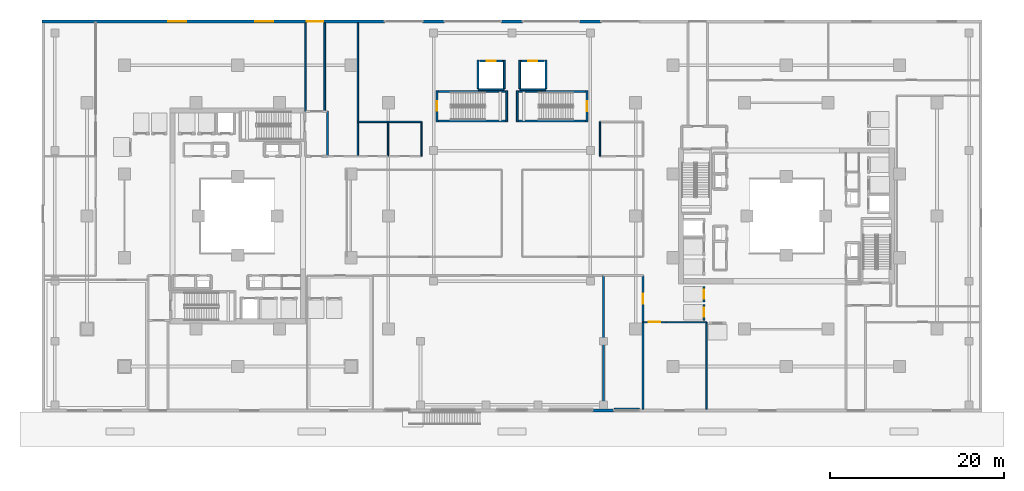
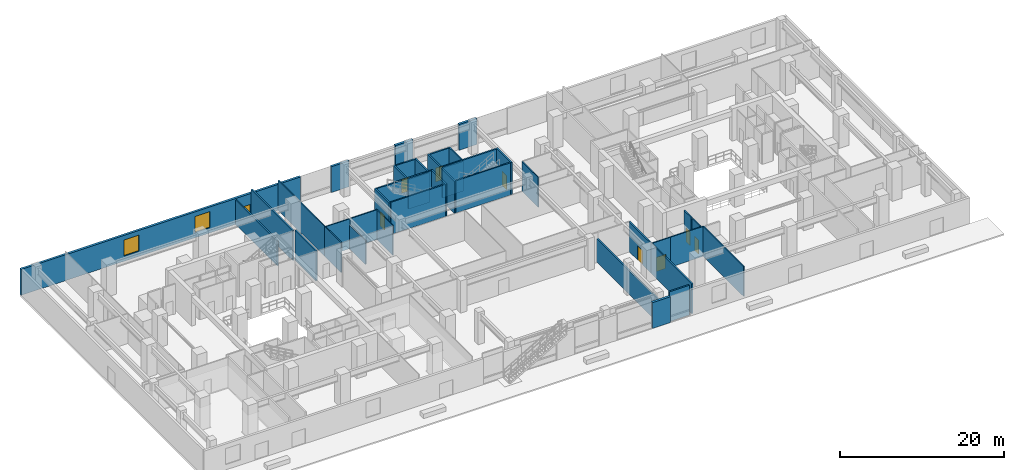
# One storey, part 15 of 24: 40 walls, 9 doors, 2 windows, 11 openings.
"""IFC4 building model written with IfcOpenShell, lengths in metres."""

from ifc_helpers import new_model, si_unit, direction, frame, frame_2d, origin, place, context, subcontext, project, spatial, rectangle, extrude, material, layer, layer_set, type_object, element, fill, save


model = new_model("IFC4")

# Units and contexts
model_context = context("Model", 3, precision=1e-05, world=origin(), true_north=direction((0.0, 1.0)))
body_context = subcontext(model_context, "Body", "Model", "MODEL_VIEW")
ifc_project = project(units=[si_unit("LENGTHUNIT", "METRE"), si_unit("AREAUNIT", "SQUARE_METRE"), si_unit("VOLUMEUNIT", "CUBIC_METRE"), si_unit("PLANEANGLEUNIT", "RADIAN"), si_unit("MASSUNIT", "GRAM", prefix="KILO")], contexts=[model_context])

# Site, building, storey
site_placement = place(None, origin())
site = spatial("IfcSite", under=ifc_project, at=site_placement, CompositionType="ELEMENT")
building_placement = place(site_placement, origin())
building = spatial("IfcBuilding", under=site, at=building_placement, Name="Thornwick Lancets Civic Towers", CompositionType="ELEMENT")
storey_placement = place(building_placement, origin())
storey = spatial("IfcBuildingStorey", under=building, at=storey_placement, Name="L00", CompositionType="ELEMENT", Elevation=0.0)

# Wall, opening, door
ifc_material_1 = material(Name="Concrete blockwork C40/50", Category="masonry")
ifc_layer_1 = layer(ifc_material_1, 0.199951171875, Name="Concrete blockwork C40/50")
ifc_layer_set_1 = layer_set([ifc_layer_1], Name="Concrete blockwork C40/50")
wall_type_1 = type_object("IfcWallType", Name="WALL_COMP_200", PredefinedType="STANDARD", material=ifc_layer_set_1)
wall_1_placement = place(storey_placement, frame((79.050048828125, 17.1298828125, 0.0), z_axis=(0.0, 0.0, 1.0), x_axis=(0.0, 1.0, 0.0)))
wall_1 = element("IfcWall", 1, at=wall_1_placement, inside=storey, type_object=wall_type_1, Name="L00 Hoistway Front Wall PL-BM1", PredefinedType="STANDARD", context=body_context, shape_type="SweptSolid", body=[
    extrude(rectangle(XDim=1.740234375, YDim=0.199951171875, at=frame_2d((0.8701171875, 0.0))), origin(), (0.0, 0.0, 1.0), 4.4599609375),
])
opening_1_placement = place(wall_1_placement, frame((0.360107421875, 0.0, 0.0)))
opening_1 = element("IfcOpeningElement", 2, at=opening_1_placement, cuts=wall_1, Name="Opening LD-PL-BM1", PredefinedType="OPENING", context=body_context, shape_type="SweptSolid", body=[
    extrude(rectangle(XDim=1.02001953125, YDim=2.06005859375, at=frame_2d((0.510009765625, 1.030029296875))), frame((0.0, 0.10986328125, 0.0), z_axis=(0.0, -1.0, 0.0), x_axis=(1.0, 0.0, 0.0)), (0.0, 0.0, 1.0), 0.219970703125),
])
ifc_material_2 = material(Name="Brushed bronze stainless steel", Category="steel")
door_type_1 = type_object("IfcDoorType", Name="DOOR_LIFT_SLIDE", OperationType="SLIDING_TO_LEFT", PredefinedType="DOOR", material=ifc_material_2)
door_1_placement = place(opening_1_placement, origin())
door_1 = element("IfcDoor", 3, at=door_1_placement, inside=storey, type_object=door_type_1, Name="L00 Sliding Lift Landing Door LD-PL-BM1", OperationType="SLIDING_TO_LEFT", OverallHeight=2.06005859375, OverallWidth=1.02001953125, PredefinedType="DOOR", context=body_context, shape_type="SweptSolid", body=[
    extrude(rectangle(XDim=1.02001953125, YDim=2.06005859375, at=frame_2d((0.510009765625, 1.030029296875))), frame((0.0, 0.02490234375, 0.0), z_axis=(0.0, -1.0, 0.0), x_axis=(1.0, 0.0, 0.0)), (0.0, 0.0, 1.0), 0.050048828125),
])
fill(opening_1, door_1)

wall_2_placement = place(storey_placement, frame((79.050048828125, 15.030029296875, 0.0), z_axis=(0.0, 0.0, 1.0), x_axis=(0.0, 1.0, 0.0)))
wall_2 = element("IfcWall", 4, at=wall_2_placement, inside=storey, type_object=wall_type_1, Name="L00 Hoistway Front Wall PL-BM2", PredefinedType="STANDARD", context=body_context, shape_type="SweptSolid", body=[
    extrude(rectangle(XDim=1.7900390625, YDim=0.199951171875, at=frame_2d((0.89501953125, 0.0))), origin(), (0.0, 0.0, 1.0), 4.4599609375),
])
opening_2_placement = place(wall_2_placement, frame((0.385009765625, 0.0, 0.0)))
opening_2 = element("IfcOpeningElement", 5, at=opening_2_placement, cuts=wall_2, Name="Opening LD-PL-BM2", PredefinedType="OPENING", context=body_context, shape_type="SweptSolid", body=[
    extrude(rectangle(XDim=1.02001953125, YDim=2.06005859375, at=frame_2d((0.510009765625, 1.030029296875))), frame((0.0, 0.10986328125, 0.0), z_axis=(0.0, -1.0, 0.0), x_axis=(1.0, 0.0, 0.0)), (0.0, 0.0, 1.0), 0.219970703125),
])
door_2_placement = place(opening_2_placement, origin())
door_2 = element("IfcDoor", 6, at=door_2_placement, inside=storey, type_object=door_type_1, Name="L00 Sliding Lift Landing Door LD-PL-BM2", OperationType="SLIDING_TO_LEFT", OverallHeight=2.06005859375, OverallWidth=1.02001953125, PredefinedType="DOOR", context=body_context, shape_type="SweptSolid", body=[
    extrude(rectangle(XDim=1.02001953125, YDim=2.06005859375, at=frame_2d((0.510009765625, 1.030029296875))), frame((0.0, 0.02490234375, 0.0), z_axis=(0.0, -1.0, 0.0), x_axis=(1.0, 0.0, 0.0)), (0.0, 0.0, 1.0), 0.050048828125),
])
fill(opening_2, door_2)

wall_3_placement = place(storey_placement, frame((53.280029296875, 44.800048828125, 0.0), z_axis=(0.0, 0.0, 1.0), x_axis=(1.0, 0.0, 0.0)))
wall_3 = element("IfcWall", 7, at=wall_3_placement, inside=storey, type_object=wall_type_1, Name="L00 Hoistway Front Wall GL-P1", PredefinedType="STANDARD", context=body_context, shape_type="SweptSolid", body=[
    extrude(rectangle(XDim=2.639892578125, YDim=0.199951171875, at=frame_2d((1.31982421875, 0.0))), origin(), (0.0, 0.0, 1.0), 4.4599609375),
])
opening_3_placement = place(wall_3_placement, frame((0.81005859375, 0.0, 0.0)))
opening_3 = element("IfcOpeningElement", 8, at=opening_3_placement, cuts=wall_3, Name="Opening LD-GL-P1", PredefinedType="OPENING", context=body_context, shape_type="SweptSolid", body=[
    extrude(rectangle(XDim=1.02001953125, YDim=2.06005859375, at=frame_2d((0.510009765625, 1.030029296875))), frame((0.0, 0.10986328125, 0.0), z_axis=(0.0, -1.0, 0.0), x_axis=(1.0, 0.0, 0.0)), (0.0, 0.0, 1.0), 0.219970703125),
])
door_3_placement = place(opening_3_placement, origin())
door_3 = element("IfcDoor", 9, at=door_3_placement, inside=storey, type_object=door_type_1, Name="L00 Sliding Lift Landing Door LD-GL-P1", OperationType="SLIDING_TO_LEFT", OverallHeight=2.06005859375, OverallWidth=1.02001953125, PredefinedType="DOOR", context=body_context, shape_type="SweptSolid", body=[
    extrude(rectangle(XDim=1.02001953125, YDim=2.06005859375, at=frame_2d((0.510009765625, 1.030029296875))), frame((0.0, 0.02490234375, 0.0), z_axis=(0.0, -1.0, 0.0), x_axis=(1.0, 0.0, 0.0)), (0.0, 0.0, 1.0), 0.050048828125),
])
fill(opening_3, door_3)

wall_4_placement = place(storey_placement, frame((58.080078125, 44.800048828125, 0.0), z_axis=(0.0, 0.0, 1.0), x_axis=(1.0, 0.0, 0.0)))
wall_4 = element("IfcWall", 10, at=wall_4_placement, inside=storey, type_object=wall_type_1, Name="L00 Hoistway Front Wall GL-P2", PredefinedType="STANDARD", context=body_context, shape_type="SweptSolid", body=[
    extrude(rectangle(XDim=2.639892578125, YDim=0.199951171875, at=frame_2d((1.31982421875, 0.0))), origin(), (0.0, 0.0, 1.0), 4.4599609375),
])
opening_4_placement = place(wall_4_placement, frame((0.81005859375, 0.0, 0.0)))
opening_4 = element("IfcOpeningElement", 11, at=opening_4_placement, cuts=wall_4, Name="Opening LD-GL-P2", PredefinedType="OPENING", context=body_context, shape_type="SweptSolid", body=[
    extrude(rectangle(XDim=1.02001953125, YDim=2.06005859375, at=frame_2d((0.510009765625, 1.030029296875))), frame((0.0, 0.10986328125, 0.0), z_axis=(0.0, -1.0, 0.0), x_axis=(1.0, 0.0, 0.0)), (0.0, 0.0, 1.0), 0.219970703125),
])
door_4_placement = place(opening_4_placement, origin())
door_4 = element("IfcDoor", 12, at=door_4_placement, inside=storey, type_object=door_type_1, Name="L00 Sliding Lift Landing Door LD-GL-P2", OperationType="SLIDING_TO_LEFT", OverallHeight=2.06005859375, OverallWidth=1.02001953125, PredefinedType="DOOR", context=body_context, shape_type="SweptSolid", body=[
    extrude(rectangle(XDim=1.02001953125, YDim=2.06005859375, at=frame_2d((0.510009765625, 1.030029296875))), frame((0.0, 0.02490234375, 0.0), z_axis=(0.0, -1.0, 0.0), x_axis=(1.0, 0.0, 0.0)), (0.0, 0.0, 1.0), 0.050048828125),
])
fill(opening_4, door_4)

# Walls
wall_5_placement = place(storey_placement, frame((53.10205078125, 41.5, 0.0), z_axis=(0.0, 0.0, 1.0), x_axis=(1.0, 0.0, 0.0)))
element("IfcWall", 13, at=wall_5_placement, inside=storey, type_object=wall_type_1, Name="L00 Hoistway Shaft Wall GL-P1 S", PredefinedType="STANDARD", context=body_context, shape_type="SweptSolid", body=[
    extrude(rectangle(XDim=2.995849609375, YDim=0.199951171875, at=frame_2d((1.498046875, 0.0))), origin(), (0.0, 0.0, 1.0), 4.4599609375),
])
for number, where, z_axis, x_axis, name in (
    (14, (56.10009765625, 41.612060546875, 0.0), (0.0, 0.0, 1.0), (0.0, 1.0, 0.0), "L00 Hoistway Shaft Wall GL-P1 E"),
    (15, (53.10009765625, 41.612060546875, 0.0), (0.0, 0.0, 1.0), (0.0, 1.0, 0.0), "L00 Hoistway Shaft Wall GL-P1 W"),
):
    element("IfcWall", number, at=place(storey_placement, frame(where, z_axis=z_axis, x_axis=x_axis)), inside=storey, type_object=wall_type_1, Name=name, PredefinedType="STANDARD", context=body_context, shape_type="SweptSolid", body=[
        extrude(rectangle(XDim=3.285888671875, YDim=0.199951171875, at=frame_2d((1.64306640625, 0.0))), origin(), (0.0, 0.0, 1.0), 4.4599609375),
    ])
wall_6_placement = place(storey_placement, frame((57.902099609375, 41.5, 0.0), z_axis=(0.0, 0.0, 1.0), x_axis=(1.0, 0.0, 0.0)))
element("IfcWall", 16, at=wall_6_placement, inside=storey, type_object=wall_type_1, Name="L00 Hoistway Shaft Wall GL-P2 S", PredefinedType="STANDARD", context=body_context, shape_type="SweptSolid", body=[
    extrude(rectangle(XDim=2.995849609375, YDim=0.199951171875, at=frame_2d((1.498046875, 0.0))), origin(), (0.0, 0.0, 1.0), 4.4599609375),
])
for number, where, z_axis, x_axis, name in (
    (17, (60.89990234375, 41.612060546875, 0.0), (0.0, 0.0, 1.0), (0.0, 1.0, 0.0), "L00 Hoistway Shaft Wall GL-P2 E"),
    (18, (57.89990234375, 41.612060546875, 0.0), (0.0, 0.0, 1.0), (0.0, 1.0, 0.0), "L00 Hoistway Shaft Wall GL-P2 W"),
):
    element("IfcWall", number, at=place(storey_placement, frame(where, z_axis=z_axis, x_axis=x_axis)), inside=storey, type_object=wall_type_1, Name=name, PredefinedType="STANDARD", context=body_context, shape_type="SweptSolid", body=[
        extrude(rectangle(XDim=3.285888671875, YDim=0.199951171875, at=frame_2d((1.64306640625, 0.0))), origin(), (0.0, 0.0, 1.0), 4.4599609375),
    ])
wall_7_placement = place(storey_placement, frame((35.800048828125, 33.85009765625, 0.0), z_axis=(0.0, 0.0, 1.0), x_axis=(0.0, 1.0, 0.0)))
element("IfcWall", 19, at=wall_7_placement, inside=storey, type_object=wall_type_1, Name="L00 Partition L00-A-FFLOB2 E2", PredefinedType="STANDARD", context=body_context, shape_type="SweptSolid", body=[
    extrude(rectangle(XDim=5.14990234375, YDim=0.199951171875, at=frame_2d((2.574951171875, 0.0))), origin(), (0.0, 0.0, 1.0), 4.4599609375),
])
wall_8_placement = place(storey_placement, frame((33.300048828125, 39.0, 0.0), z_axis=(0.0, 0.0, 1.0), x_axis=(0.0, 1.0, 0.0)))
element("IfcWall", 20, at=wall_8_placement, inside=storey, type_object=wall_type_1, Name="L00 Partition L00-EXIT-PASS-A2 E1", PredefinedType="STANDARD", context=body_context, shape_type="SweptSolid", body=[
    extrude(rectangle(XDim=10.179931640625, YDim=0.199951171875, at=frame_2d((5.08984375, 0.0))), origin(), (0.0, 0.0, 1.0), 3.6650390625),
])
wall_9_placement = place(storey_placement, frame((35.5, 49.179931640625, 0.0), z_axis=(0.0, 0.0, 1.0), x_axis=(0.0, -1.0, 0.0)))
element("IfcWall", 21, at=wall_9_placement, inside=storey, type_object=wall_type_1, Name="L00 Partition L00-EXIT-PASS-A2 E3", PredefinedType="STANDARD", context=body_context, shape_type="SweptSolid", body=[
    extrude(rectangle(XDim=10.179931640625, YDim=0.199951171875, at=frame_2d((5.08984375, 0.0))), origin(), (0.0, 0.0, 1.0), 4.4599609375),
])
wall_10_placement = place(storey_placement, frame((71.60009765625, 4.820068359375, 0.0), z_axis=(0.0, 0.0, 1.0), x_axis=(-1.0, 0.0, 0.0)))
element("IfcWall", 22, at=wall_10_placement, inside=storey, type_object=wall_type_1, Name="L00 Partition L00-FCC E1", PredefinedType="STANDARD", context=body_context, shape_type="SweptSolid", body=[
    extrude(rectangle(XDim=2.85009765625, YDim=0.199951171875, at=frame_2d((1.425048828125, 0.0))), origin(), (0.0, 0.0, 1.0), 4.4599609375),
])
wall_11_placement = place(storey_placement, frame((67.5, 4.820068359375, 0.0), z_axis=(0.0, 0.0, 1.0), x_axis=(0.0, 1.0, 0.0)))
element("IfcWall", 23, at=wall_11_placement, inside=storey, type_object=wall_type_1, Name="L00 Partition L00-FCC E2", PredefinedType="STANDARD", context=body_context, shape_type="SweptSolid", body=[
    extrude(rectangle(XDim=15.329833984375, YDim=0.199951171875, at=frame_2d((7.6650390625, 0.0))), origin(), (0.0, 0.0, 1.0), 3.538330078125),
])

# Wall, opening, door
wall_12_placement = place(storey_placement, frame((72.050048828125, 20.14990234375, 0.0), z_axis=(0.0, 0.0, 1.0), x_axis=(0.0, -1.0, 0.0)))
wall_12 = element("IfcWall", 24, at=wall_12_placement, inside=storey, type_object=wall_type_1, Name="L00 Partition L00-FCC E4", PredefinedType="STANDARD", context=body_context, shape_type="SweptSolid", body=[
    extrude(rectangle(XDim=5.349853515625, YDim=0.199951171875, at=frame_2d((2.6748046875, 0.0))), origin(), (0.0, 0.0, 1.0), 4.4599609375),
])
opening_5_placement = place(wall_12_placement, frame((2.10009765625, 0.0, 0.0)))
opening_5 = element("IfcOpeningElement", 25, at=opening_5_placement, cuts=wall_12, Name="Opening D-L00-0077", PredefinedType="OPENING", context=body_context, shape_type="SweptSolid", body=[
    extrude(rectangle(XDim=1.14990234375, YDim=2.10009765625, at=frame_2d((0.574951171875, 1.050048828125))), frame((0.0, 0.10986328125, 0.0), z_axis=(0.0, -1.0, 0.0), x_axis=(1.0, 0.0, 0.0)), (0.0, 0.0, 1.0), 0.219970703125),
])
ifc_material_3 = material(Name="Glazed fire-resisting steel", Category="steel")
door_type_2 = type_object("IfcDoorType", Name="DOOR_LOBBY_FD60", OperationType="NOTDEFINED", PredefinedType="DOOR", material=ifc_material_3)
door_5_placement = place(opening_5_placement, origin())
door_5 = element("IfcDoor", 26, at=door_5_placement, inside=storey, type_object=door_type_2, Name="Fire Command Centre Door", OperationType="SINGLE_SWING_RIGHT", OverallHeight=2.10009765625, OverallWidth=1.14990234375, PredefinedType="DOOR", context=body_context, shape_type="SweptSolid", body=[
    extrude(rectangle(XDim=1.14990234375, YDim=2.10009765625, at=frame_2d((0.574951171875, 1.050048828125))), frame((0.0, 0.02490234375, 0.0), z_axis=(0.0, -1.0, 0.0), x_axis=(1.0, 0.0, 0.0)), (0.0, 0.0, 1.0), 0.050048828125),
])
fill(opening_5, door_5)

# Walls
wall_13_placement = place(storey_placement, frame((72.050048828125, 14.800048828125, 0.0), z_axis=(0.0, 0.0, 1.0), x_axis=(0.0, -1.0, 0.0)))
element("IfcWall", 27, at=wall_13_placement, inside=storey, type_object=wall_type_1, Name="L00 Partition L00-FCC E5", PredefinedType="STANDARD", context=body_context, shape_type="SweptSolid", body=[
    extrude(rectangle(XDim=9.97998046875, YDim=0.199951171875, at=frame_2d((4.989990234375, 0.0))), origin(), (0.0, 0.0, 1.0), 4.4599609375),
])
ifc_material_4 = material(Name="Insulated buff terracotta rainscreen on concrete C40/50", Category="masonry")
ifc_layer_2 = layer(ifc_material_4, 0.320068359375, Name="Insulated buff terracotta rainscreen on concrete C40/50")
ifc_layer_set_2 = layer_set([ifc_layer_2], Name="Insulated buff terracotta rainscreen on concrete C40/50")
wall_type_2 = type_object("IfcWallType", Name="WALL_EXT_TERRA_320", PredefinedType="STANDARD", material=ifc_layer_set_2)
for number, where, z_axis, x_axis, name in (
    (28, (66.25, 4.659912109375, 0.0), (0.0, 0.0, 1.0), (1.0, 0.0, 0.0), "L00 Podium South Facade Pier 4"),
    (29, (67.25, 49.340087890625, 0.0), (0.0, 0.0, 1.0), (-1.0, 0.0, 0.0), "L00 Podium North Facade Pier 1"),
    (30, (58.25, 49.340087890625, 0.0), (0.0, 0.0, 1.0), (-1.0, 0.0, 0.0), "L00 Podium North Facade Pier 2"),
    (31, (49.25, 49.340087890625, 0.0), (0.0, 0.0, 1.0), (-1.0, 0.0, 0.0), "L00 Podium North Facade Pier 3"),
):
    element("IfcWall", number, at=place(storey_placement, frame(where, z_axis=z_axis, x_axis=x_axis)), inside=storey, type_object=wall_type_2, Name=name, PredefinedType="STANDARD", context=body_context, shape_type="SweptSolid", body=[
        extrude(rectangle(XDim=2.5, YDim=0.320068359375, at=frame_2d((1.25, 0.0))), origin(), (0.0, 0.0, 1.0), 3.860107421875),
    ])

# Wall, openings, door, windows
wall_14_placement = place(storey_placement, frame((42.39990234375, 49.340087890625, 0.0), z_axis=(0.0, 0.0, 1.0), x_axis=(-1.0, 0.0, 0.0)))
wall_14 = element("IfcWall", 32, at=wall_14_placement, inside=storey, type_object=wall_type_2, Name="L00 Podium North-West Facade Wall", PredefinedType="STANDARD", context=body_context, shape_type="SweptSolid", body=[
    extrude(rectangle(XDim=39.39990234375, YDim=0.320068359375, at=frame_2d((19.699951171875, 0.0))), origin(), (0.0, 0.0, 1.0), 3.860107421875),
])
opening_6_placement = place(wall_14_placement, frame((8.949951171875, 0.0, 0.0), z_axis=(0.0, 0.0, 1.0), x_axis=(-1.0, 0.0, 0.0)))
opening_6 = element("IfcOpeningElement", 33, at=opening_6_placement, cuts=wall_14, Name="Opening D-EX-08", PredefinedType="OPENING", context=body_context, shape_type="SweptSolid", body=[
    extrude(rectangle(XDim=1.89990234375, YDim=2.25, at=frame_2d((0.949951171875, 1.125))), frame((0.0, 0.169921875, 0.0), z_axis=(0.0, -1.0, 0.0), x_axis=(1.0, 0.0, 0.0)), (0.0, 0.0, 1.0), 0.340087890625),
])
opening_7_placement = place(wall_14_placement, frame((12.800048828125, 0.0, 0.780029296875)))
opening_7 = element("IfcOpeningElement", 34, at=opening_7_placement, cuts=wall_14, Name="Opening WP-21", PredefinedType="OPENING", context=body_context, shape_type="SweptSolid", body=[
    extrude(rectangle(XDim=2.10009765625, YDim=2.39990234375, at=frame_2d((1.050048828125, 1.199951171875))), frame((0.0, 0.169921875, 0.0), z_axis=(0.0, -1.0, 0.0), x_axis=(1.0, 0.0, 0.0)), (0.0, 0.0, 1.0), 0.340087890625),
])
opening_8_placement = place(wall_14_placement, frame((22.800048828125, 0.0, 0.780029296875)))
opening_8 = element("IfcOpeningElement", 35, at=opening_8_placement, cuts=wall_14, Name="Opening WP-21", PredefinedType="OPENING", context=body_context, shape_type="SweptSolid", body=[
    extrude(rectangle(XDim=2.10009765625, YDim=2.39990234375, at=frame_2d((1.050048828125, 1.199951171875))), frame((0.0, 0.169921875, 0.0), z_axis=(0.0, -1.0, 0.0), x_axis=(1.0, 0.0, 0.0)), (0.0, 0.0, 1.0), 0.340087890625),
])
ifc_material_5 = material(Name="Glazed bronze civic entrance double doorset")
door_type_3 = type_object("IfcDoorType", Name="DOOR_EXIT_1900", OperationType="DOUBLE_DOOR_SINGLE_SWING", PredefinedType="DOOR", material=ifc_material_5)
door_6_placement = place(opening_6_placement, origin())
door_6 = element("IfcDoor", 36, at=door_6_placement, inside=storey, type_object=door_type_3, Name="L00 Final Pedestrian Exit Door D-EX-08", OperationType="DOUBLE_DOOR_SINGLE_SWING", OverallHeight=2.25, OverallWidth=1.89990234375, PredefinedType="DOOR", context=body_context, shape_type="SweptSolid", body=[
    extrude(rectangle(XDim=1.89990234375, YDim=2.25, at=frame_2d((0.949951171875, 1.125))), frame((0.0, 0.02490234375, 0.0), z_axis=(0.0, -1.0, 0.0), x_axis=(1.0, 0.0, 0.0)), (0.0, 0.0, 1.0), 0.050048828125),
])
fill(opening_6, door_6)
ifc_material_6 = material(Name="Grand civic pointed lancet glass window", Category="glass")
window_type = type_object("IfcWindowType", Name="WIN_PODIUM_2100", PartitioningType="SINGLE_PANEL", PredefinedType="WINDOW", material=ifc_material_6)
window_1_placement = place(opening_7_placement, origin())
window_1 = element("IfcWindow", 37, at=window_1_placement, inside=storey, type_object=window_type, Name="L00 Podium Lancet Window 2", OverallHeight=2.39990234375, OverallWidth=2.10009765625, PartitioningType="SINGLE_PANEL", PredefinedType="WINDOW", context=body_context, shape_type="SweptSolid", body=[
    extrude(rectangle(XDim=2.10009765625, YDim=2.39990234375, at=frame_2d((1.050048828125, 1.199951171875))), frame((0.0, 0.030029296875, 0.0), z_axis=(0.0, -1.0, 0.0), x_axis=(1.0, 0.0, 0.0)), (0.0, 0.0, 1.0), 0.06005859375),
])
fill(opening_7, window_1)
window_2_placement = place(opening_8_placement, origin())
window_2 = element("IfcWindow", 38, at=window_2_placement, inside=storey, type_object=window_type, Name="L00 Podium Lancet Window 3", OverallHeight=2.39990234375, OverallWidth=2.10009765625, PartitioningType="SINGLE_PANEL", PredefinedType="WINDOW", context=body_context, shape_type="SweptSolid", body=[
    extrude(rectangle(XDim=2.10009765625, YDim=2.39990234375, at=frame_2d((1.050048828125, 1.199951171875))), frame((0.0, 0.030029296875, 0.0), z_axis=(0.0, -1.0, 0.0), x_axis=(1.0, 0.0, 0.0)), (0.0, 0.0, 1.0), 0.06005859375),
])
fill(opening_8, window_2)

# Walls
ifc_material_7 = material(Name="Twin-stud acoustic gypsum board")
ifc_layer_3 = layer(ifc_material_7, 0.14990234375, Name="Twin-stud acoustic gypsum board")
ifc_layer_set_3 = layer_set([ifc_layer_3], Name="Twin-stud acoustic gypsum board")
wall_type_3 = type_object("IfcWallType", Name="WALL_PART_150", PredefinedType="PARTITIONING", material=ifc_layer_set_3)
wall_15_placement = place(storey_placement, frame((42.75, 33.85009765625, 0.0), z_axis=(0.0, 0.0, 1.0), x_axis=(0.0, 1.0, 0.0)))
element("IfcWall", 39, at=wall_15_placement, inside=storey, type_object=wall_type_3, Name="L00 Partition L00-POD-MWC E2", PredefinedType="PARTITIONING", context=body_context, shape_type="SweptSolid", body=[
    extrude(rectangle(XDim=3.949951171875, YDim=0.14990234375, at=frame_2d((1.97509765625, 0.0))), origin(), (0.0, 0.0, 1.0), 3.538330078125),
])
wall_16_placement = place(storey_placement, frame((42.75, 37.800048828125, 0.0), z_axis=(0.0, 0.0, 1.0), x_axis=(-1.0, 0.0, 0.0)))
element("IfcWall", 40, at=wall_16_placement, inside=storey, type_object=wall_type_3, Name="L00 Partition L00-POD-MWC E3", PredefinedType="PARTITIONING", context=body_context, shape_type="SweptSolid", body=[
    extrude(rectangle(XDim=3.449951171875, YDim=0.14990234375, at=frame_2d((1.72509765625, 0.0))), origin(), (0.0, 0.0, 1.0), 4.4599609375),
])
for number, where, z_axis, x_axis, name in (
    (41, (39.300048828125, 37.800048828125, 0.0), (0.0, 0.0, 1.0), (0.0, -1.0, 0.0), "L00 Partition L00-POD-MWC E4"),
    (42, (67.10009765625, 37.800048828125, 0.0), (0.0, 0.0, 1.0), (0.0, -1.0, 0.0), "L00 Partition L00-POD-FWC E4"),
    (43, (46.60009765625, 37.800048828125, 0.0), (0.0, 0.0, 1.0), (0.0, -1.0, 0.0), "L00 Partition L00-POD-AWC E1"),
):
    element("IfcWall", number, at=place(storey_placement, frame(where, z_axis=z_axis, x_axis=x_axis)), inside=storey, type_object=wall_type_3, Name=name, PredefinedType="PARTITIONING", context=body_context, shape_type="SweptSolid", body=[
        extrude(rectangle(XDim=3.949951171875, YDim=0.14990234375, at=frame_2d((1.97509765625, 0.0))), origin(), (0.0, 0.0, 1.0), 4.4599609375),
    ])
wall_17_placement = place(storey_placement, frame((42.75, 37.800048828125, 0.0), z_axis=(0.0, 0.0, 1.0), x_axis=(1.0, 0.0, 0.0)))
element("IfcWall", 44, at=wall_17_placement, inside=storey, type_object=wall_type_3, Name="L00 Partition L00-POD-AWC E4", PredefinedType="PARTITIONING", context=body_context, shape_type="SweptSolid", body=[
    extrude(rectangle(XDim=3.85009765625, YDim=0.14990234375, at=frame_2d((1.925048828125, 0.0))), origin(), (0.0, 0.0, 1.0), 4.4599609375),
])
wall_18_placement = place(storey_placement, frame((79.35009765625, 14.800048828125, 0.0), z_axis=(0.0, 0.0, 1.0), x_axis=(0.0, -1.0, 0.0)))
element("IfcWall", 45, at=wall_18_placement, inside=storey, type_object=wall_type_3, Name="L00 Partition L00-OMBUDS E1", PredefinedType="PARTITIONING", context=body_context, shape_type="SweptSolid", body=[
    extrude(rectangle(XDim=9.97998046875, YDim=0.14990234375, at=frame_2d((4.989990234375, 0.0))), origin(), (0.0, 0.0, 1.0), 4.4599609375),
])

# Wall, opening, door
wall_19_placement = place(storey_placement, frame((72.050048828125, 14.800048828125, 0.0), z_axis=(0.0, 0.0, 1.0), x_axis=(1.0, 0.0, 0.0)))
wall_19 = element("IfcWall", 46, at=wall_19_placement, inside=storey, type_object=wall_type_3, Name="L00 Partition L00-OMBUDS E4", PredefinedType="PARTITIONING", context=body_context, shape_type="SweptSolid", body=[
    extrude(rectangle(XDim=2.64990234375, YDim=0.14990234375, at=frame_2d((1.324951171875, 0.0))), origin(), (0.0, 0.0, 1.0), 4.4599609375),
])
opening_9_placement = place(wall_19_placement, frame((0.675048828125, 0.0, 0.0)))
opening_9 = element("IfcOpeningElement", 47, at=opening_9_placement, cuts=wall_19, Name="Opening D-L00-0078", PredefinedType="OPENING", context=body_context, shape_type="SweptSolid", body=[
    extrude(rectangle(XDim=1.300048828125, YDim=2.1201171875, at=frame_2d((0.64990234375, 1.06005859375))), frame((0.0, 0.0849609375, 0.0), z_axis=(0.0, -1.0, 0.0), x_axis=(1.0, 0.0, 0.0)), (0.0, 0.0, 1.0), 0.169921875),
])
ifc_material_8 = material(Name="Acoustic oak leaf-and-a-half doorset")
door_type_4 = type_object("IfcDoorType", Name="DOOR_MEET_1300", OperationType="DOUBLE_DOOR_SINGLE_SWING", PredefinedType="DOOR", material=ifc_material_8)
door_7_placement = place(opening_9_placement, origin())
door_7 = element("IfcDoor", 48, at=door_7_placement, inside=storey, type_object=door_type_4, Name="Public Ombudsman Consultation Suite Door", OperationType="DOUBLE_DOOR_SINGLE_SWING", OverallHeight=2.1201171875, OverallWidth=1.300048828125, PredefinedType="DOOR", context=body_context, shape_type="SweptSolid", body=[
    extrude(rectangle(XDim=1.300048828125, YDim=2.1201171875, at=frame_2d((0.64990234375, 1.06005859375))), frame((0.0, 0.02490234375, 0.0), z_axis=(0.0, -1.0, 0.0), x_axis=(1.0, 0.0, 0.0)), (0.0, 0.0, 1.0), 0.050048828125),
])
fill(opening_9, door_7)

# Walls
wall_20_placement = place(storey_placement, frame((74.699951171875, 14.800048828125, 0.0), z_axis=(0.0, 0.0, 1.0), x_axis=(1.0, 0.0, 0.0)))
element("IfcWall", 49, at=wall_20_placement, inside=storey, type_object=wall_type_3, Name="L00 Partition L00-OMBUDS E5", PredefinedType="PARTITIONING", context=body_context, shape_type="SweptSolid", body=[
    extrude(rectangle(XDim=4.650146484375, YDim=0.14990234375, at=frame_2d((2.3251953125, 0.0))), origin(), (0.0, 0.0, 1.0), 4.4599609375),
])
wall_21_placement = place(storey_placement, frame((39.300048828125, 49.179931640625, 0.0), z_axis=(0.0, 0.0, 1.0), x_axis=(0.0, -1.0, 0.0)))
element("IfcWall", 50, at=wall_21_placement, inside=storey, type_object=wall_type_3, Name="L00 Partition L00-ARCHW E5", PredefinedType="PARTITIONING", context=body_context, shape_type="SweptSolid", body=[
    extrude(rectangle(XDim=11.3798828125, YDim=0.14990234375, at=frame_2d((5.68994140625, 0.0))), origin(), (0.0, 0.0, 1.0), 4.4599609375),
])

# Wall, opening, door
ifc_material_9 = material(Name="Concrete C40/50", Category="concrete")
ifc_layer_4 = layer(ifc_material_9, 0.199951171875, Name="Concrete C40/50")
ifc_layer_set_4 = layer_set([ifc_layer_4], Name="Concrete C40/50")
wall_type_4 = type_object("IfcWallType", Name="WALL_SHAFT_200", PredefinedType="SHEAR", material=ifc_layer_set_4)
wall_22_placement = place(storey_placement, frame((48.39990234375, 37.800048828125, 0.0), z_axis=(0.0, 0.0, 1.0), x_axis=(0.0, 1.0, 0.0)))
wall_22 = element("IfcWall", 51, at=wall_22_placement, inside=storey, type_object=wall_type_4, Name="L00 ST-P5 Fire Stair Core Wall NEAR", PredefinedType="SHEAR", context=body_context, shape_type="SweptSolid", body=[
    extrude(rectangle(XDim=3.599853515625, YDim=0.199951171875, at=frame_2d((1.7998046875, 0.0))), origin(), (0.0, 0.0, 1.0), 4.800048828125),
])
opening_10_placement = place(wall_22_placement, frame((1.25, 0.0, 0.0)))
opening_10 = element("IfcOpeningElement", 52, at=opening_10_placement, cuts=wall_22, Name="Opening D-ST-P5-L00", PredefinedType="OPENING", context=body_context, shape_type="SweptSolid", body=[
    extrude(rectangle(XDim=1.10009765625, YDim=2.10009765625, at=frame_2d((0.550048828125, 1.050048828125))), frame((0.0, 0.10986328125, 0.0), z_axis=(0.0, -1.0, 0.0), x_axis=(1.0, 0.0, 0.0)), (0.0, 0.0, 1.0), 0.219970703125),
])
ifc_material_10 = material(Name="Fire-resisting steel and hardwood", Category="steel")
door_type_5 = type_object("IfcDoorType", Name="DOOR_STAIR_FD60", OperationType="NOTDEFINED", PredefinedType="DOOR", material=ifc_material_10)
door_8_placement = place(opening_10_placement, origin())
door_8 = element("IfcDoor", 53, at=door_8_placement, inside=storey, type_object=door_type_5, Name="L00 ST-P5 Exit Stair Door", OperationType="SINGLE_SWING_RIGHT", OverallHeight=2.10009765625, OverallWidth=1.10009765625, PredefinedType="DOOR", context=body_context, shape_type="SweptSolid", body=[
    extrude(rectangle(XDim=1.10009765625, YDim=2.10009765625, at=frame_2d((0.550048828125, 1.050048828125))), frame((0.0, 0.02490234375, 0.0), z_axis=(0.0, -1.0, 0.0), x_axis=(1.0, 0.0, 0.0)), (0.0, 0.0, 1.0), 0.050048828125),
])
fill(opening_10, door_8)

# Walls
wall_23_placement = place(storey_placement, frame((56.39990234375, 41.39990234375, 0.0), z_axis=(0.0, 0.0, 1.0), x_axis=(0.0, -1.0, 0.0)))
element("IfcWall", 54, at=wall_23_placement, inside=storey, type_object=wall_type_4, Name="L00 ST-P5 Fire Stair Core Wall FAR", PredefinedType="SHEAR", context=body_context, shape_type="SweptSolid", body=[
    extrude(rectangle(XDim=3.599853515625, YDim=0.199951171875, at=frame_2d((1.7998046875, 0.0))), origin(), (0.0, 0.0, 1.0), 4.800048828125),
])
for number, where, z_axis, x_axis, name in (
    (55, (56.25, 41.297119140625, 0.0), (0.0, 0.0, 1.0), (-1.0, 0.0, 0.0), "L00 ST-P5 Fire Stair Core Wall RIGHT"),
    (56, (48.550048828125, 37.903076171875, 0.0), (0.0, 0.0, 1.0), (1.0, 0.0, 0.0), "L00 ST-P5 Fire Stair Core Wall LEFT"),
):
    element("IfcWall", number, at=place(storey_placement, frame(where, z_axis=z_axis, x_axis=x_axis)), inside=storey, type_object=wall_type_4, Name=name, PredefinedType="SHEAR", context=body_context, shape_type="SweptSolid", body=[
        extrude(rectangle(XDim=7.699951171875, YDim=0.199951171875, at=frame_2d((3.85009765625, 0.0))), origin(), (0.0, 0.0, 1.0), 4.800048828125),
    ])

# Wall, opening, door
wall_24_placement = place(storey_placement, frame((65.60009765625, 41.39990234375, 0.0), z_axis=(0.0, 0.0, 1.0), x_axis=(0.0, -1.0, 0.0)))
wall_24 = element("IfcWall", 57, at=wall_24_placement, inside=storey, type_object=wall_type_4, Name="L00 ST-P6 Fire Stair Core Wall NEAR", PredefinedType="SHEAR", context=body_context, shape_type="SweptSolid", body=[
    extrude(rectangle(XDim=3.599853515625, YDim=0.199951171875, at=frame_2d((1.7998046875, 0.0))), origin(), (0.0, 0.0, 1.0), 4.800048828125),
])
opening_11_placement = place(wall_24_placement, frame((1.25, 0.0, 0.0)))
opening_11 = element("IfcOpeningElement", 58, at=opening_11_placement, cuts=wall_24, Name="Opening D-ST-P6-L00", PredefinedType="OPENING", context=body_context, shape_type="SweptSolid", body=[
    extrude(rectangle(XDim=1.10009765625, YDim=2.10009765625, at=frame_2d((0.550048828125, 1.050048828125))), frame((0.0, 0.10986328125, 0.0), z_axis=(0.0, -1.0, 0.0), x_axis=(1.0, 0.0, 0.0)), (0.0, 0.0, 1.0), 0.219970703125),
])
door_9_placement = place(opening_11_placement, origin())
door_9 = element("IfcDoor", 59, at=door_9_placement, inside=storey, type_object=door_type_5, Name="L00 ST-P6 Exit Stair Door", OperationType="SINGLE_SWING_LEFT", OverallHeight=2.10009765625, OverallWidth=1.10009765625, PredefinedType="DOOR", context=body_context, shape_type="SweptSolid", body=[
    extrude(rectangle(XDim=1.10009765625, YDim=2.10009765625, at=frame_2d((0.550048828125, 1.050048828125))), frame((0.0, 0.02490234375, 0.0), z_axis=(0.0, -1.0, 0.0), x_axis=(1.0, 0.0, 0.0)), (0.0, 0.0, 1.0), 0.050048828125),
])
fill(opening_11, door_9)

# Walls
wall_25_placement = place(storey_placement, frame((57.60009765625, 37.800048828125, 0.0), z_axis=(0.0, 0.0, 1.0), x_axis=(0.0, 1.0, 0.0)))
element("IfcWall", 60, at=wall_25_placement, inside=storey, type_object=wall_type_4, Name="L00 ST-P6 Fire Stair Core Wall FAR", PredefinedType="SHEAR", context=body_context, shape_type="SweptSolid", body=[
    extrude(rectangle(XDim=3.599853515625, YDim=0.199951171875, at=frame_2d((1.7998046875, 0.0))), origin(), (0.0, 0.0, 1.0), 4.800048828125),
])
for number, where, z_axis, x_axis, name in (
    (61, (57.75, 37.903076171875, 0.0), (0.0, 0.0, 1.0), (1.0, 0.0, 0.0), "L00 ST-P6 Fire Stair Core Wall RIGHT"),
    (62, (65.449951171875, 41.297119140625, 0.0), (0.0, 0.0, 1.0), (-1.0, 0.0, 0.0), "L00 ST-P6 Fire Stair Core Wall LEFT"),
):
    element("IfcWall", number, at=place(storey_placement, frame(where, z_axis=z_axis, x_axis=x_axis)), inside=storey, type_object=wall_type_4, Name=name, PredefinedType="SHEAR", context=body_context, shape_type="SweptSolid", body=[
        extrude(rectangle(XDim=7.699951171875, YDim=0.199951171875, at=frame_2d((3.85009765625, 0.0))), origin(), (0.0, 0.0, 1.0), 4.800048828125),
    ])

save(model, "model.ifc")
